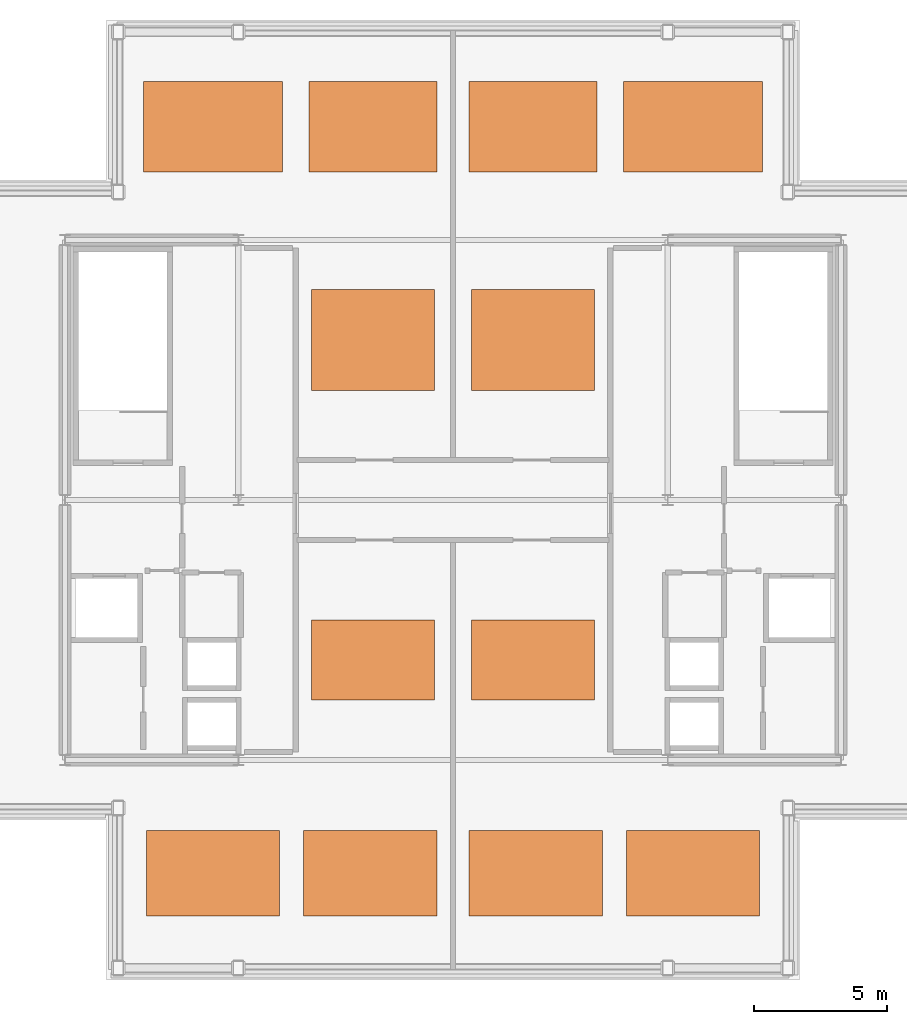
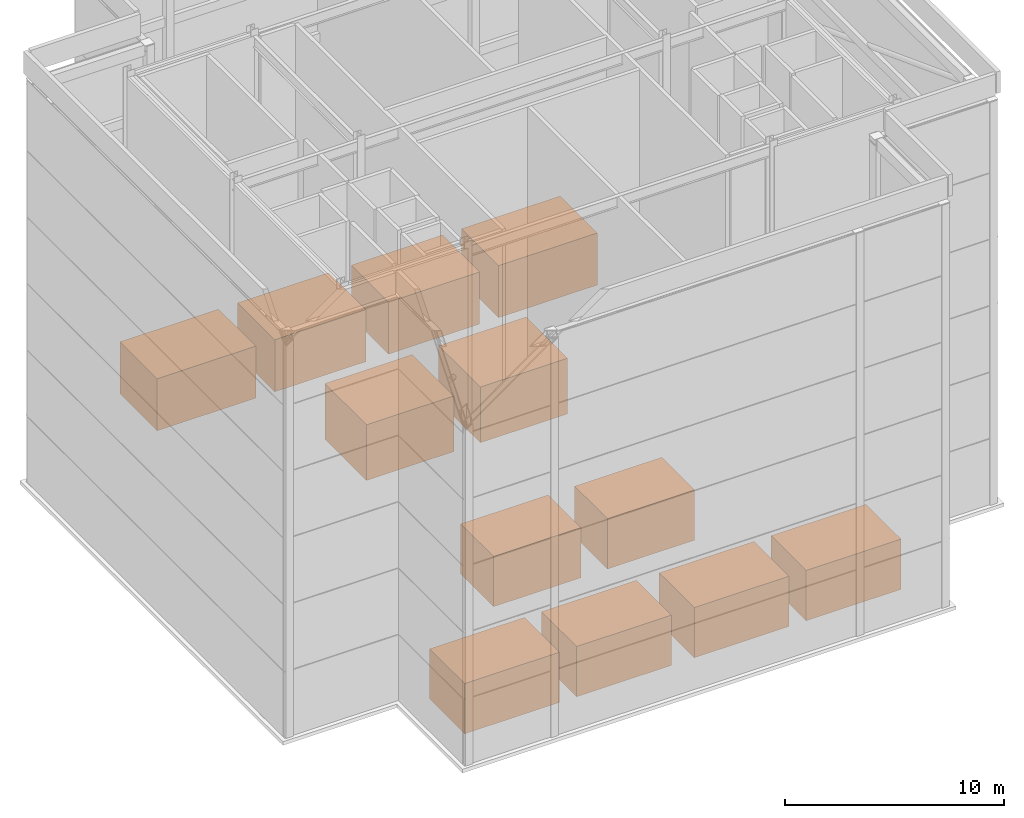
# One storey, part 8 of 8: 12 proxies.
"""IFC4 building model written with IfcOpenShell, lengths in metres."""

from ifc_helpers import new_model, si_unit, direction, frame, origin, origin_2d, place, context, subcontext, project, spatial, rectangle, extrude, material, type_object, element, save


model = new_model("IFC4")

# Units and contexts
model_context = context("Model", 3, precision=1e-05, world=origin(), true_north=direction((0.0, 1.0)))
body_context = subcontext(model_context, "Body", "Model", "MODEL_VIEW")
ifc_project = project(units=[si_unit("LENGTHUNIT", "METRE"), si_unit("AREAUNIT", "SQUARE_METRE"), si_unit("VOLUMEUNIT", "CUBIC_METRE"), si_unit("PLANEANGLEUNIT", "RADIAN"), si_unit("MASSUNIT", "GRAM", prefix="KILO")], contexts=[model_context])

# Site, building, storey
site_placement = place(None, origin())
site = spatial("IfcSite", under=ifc_project, at=site_placement, CompositionType="ELEMENT")
building_placement = place(site_placement, origin())
building = spatial("IfcBuilding", under=site, at=building_placement, Name="Brelmoor Portico Tower", CompositionType="ELEMENT")
storey_placement = place(building_placement, frame((0.0, 0.0, 289.199951171875)))
storey = spatial("IfcBuildingStorey", under=building, at=storey_placement, Name="L76", CompositionType="ELEMENT", Elevation=289.199951171875)

# Proxies
ifc_material_1 = material(Name="Insulated Galvanised Steel Air-Handling Unit", Category="steel")
building_element_proxy_type_1 = type_object("IfcBuildingElementProxyType", Name="CROWN AHU UNIT", PredefinedType="USERDEFINED", material=ifc_material_1)
proxy_1_placement = place(storey_placement, frame((-9.0, 14.0, 0.0), z_axis=(0.0, 0.0, 1.0), x_axis=(1.0, 0.0, 0.0)))
element("IfcBuildingElementProxy", 1, at=proxy_1_placement, inside=storey, type_object=building_element_proxy_type_1, Name="L76 Primary Air-Handling Unit AHU-01", ObjectType="AHU", PredefinedType="USERDEFINED", context=body_context, shape_type="SweptSolid", body=[
    extrude(rectangle(XDim=5.199951171875, YDim=3.39990234375, at=origin_2d()), origin(), (0.0, 0.0, 1.0), 2.89990234375),
])
for number, where, z_axis, x_axis, name in (
    (2, (-3.0, 14.0, 0.0), (0.0, 0.0, 1.0), (1.0, 0.0, 0.0), "L76 Primary Air-Handling Unit AHU-02"),
    (3, (3.0, 14.0, 0.0), (0.0, 0.0, 1.0), (1.0, 0.0, 0.0), "L76 Primary Air-Handling Unit AHU-03"),
):
    element("IfcBuildingElementProxy", number, at=place(storey_placement, frame(where, z_axis=z_axis, x_axis=x_axis)), inside=storey, type_object=building_element_proxy_type_1, Name=name, ObjectType="AHU", PredefinedType="USERDEFINED", context=body_context, shape_type="SweptSolid", body=[
        extrude(rectangle(XDim=4.800048828125, YDim=3.39990234375, at=origin_2d()), origin(), (0.0, 0.0, 1.0), 2.89990234375),
    ])
proxy_2_placement = place(storey_placement, frame((9.0, 14.0, 0.0), z_axis=(0.0, 0.0, 1.0), x_axis=(1.0, 0.0, 0.0)))
element("IfcBuildingElementProxy", 4, at=proxy_2_placement, inside=storey, type_object=building_element_proxy_type_1, Name="L76 Primary Air-Handling Unit AHU-04", ObjectType="AHU", PredefinedType="USERDEFINED", context=body_context, shape_type="SweptSolid", body=[
    extrude(rectangle(XDim=5.199951171875, YDim=3.39990234375, at=origin_2d()), origin(), (0.0, 0.0, 1.0), 2.89990234375),
])
ifc_material_2 = material(Name="Painted Steel Centrifugal Chiller", Category="steel")
building_element_proxy_type_2 = type_object("IfcBuildingElementProxyType", Name="CROWN CHILLER UNIT", PredefinedType="USERDEFINED", material=ifc_material_2)
for number, where, z_axis, x_axis, name in (
    (5, (-9.0, -14.0, 0.0), (0.0, 0.0, 1.0), (1.0, 0.0, 0.0), "L76 Centrifugal Chiller Unit CH-01"),
    (6, (-3.10009765625, -14.0, 0.0), (0.0, 0.0, 1.0), (1.0, 0.0, 0.0), "L76 Centrifugal Chiller Unit CH-02"),
    (7, (3.10009765625, -14.0, 0.0), (0.0, 0.0, 1.0), (1.0, 0.0, 0.0), "L76 Centrifugal Chiller Unit CH-03"),
    (8, (9.0, -14.0, 0.0), (0.0, 0.0, 1.0), (1.0, 0.0, 0.0), "L76 Centrifugal Chiller Unit CH-04"),
):
    element("IfcBuildingElementProxy", number, at=place(storey_placement, frame(where, z_axis=z_axis, x_axis=x_axis)), inside=storey, type_object=building_element_proxy_type_2, Name=name, ObjectType="CH", PredefinedType="USERDEFINED", context=body_context, shape_type="SweptSolid", body=[
        extrude(rectangle(XDim=5.0, YDim=3.199951171875, at=origin_2d()), origin(), (0.0, 0.0, 1.0), 2.800048828125),
    ])
for number, where, z_axis, x_axis, name in (
    (9, (-3.0, -6.0, 0.0), (0.0, 0.0, 1.0), (1.0, 0.0, 0.0), "L76 Heat-Recovery Chiller CH-05"),
    (10, (3.0, -6.0, 0.0), (0.0, 0.0, 1.0), (1.0, 0.0, 0.0), "L76 Heat-Recovery Chiller CH-06"),
):
    element("IfcBuildingElementProxy", number, at=place(storey_placement, frame(where, z_axis=z_axis, x_axis=x_axis)), inside=storey, type_object=building_element_proxy_type_2, Name=name, ObjectType="CH", PredefinedType="USERDEFINED", context=body_context, shape_type="SweptSolid", body=[
        extrude(rectangle(XDim=4.60009765625, YDim=3.0, at=origin_2d()), origin(), (0.0, 0.0, 1.0), 2.800048828125),
    ])
ifc_material_3 = material(Name="Stainless Steel 316 Sectional Water Tank", Category="steel")
building_element_proxy_type_3 = type_object("IfcBuildingElementProxyType", Name="CROWN WATER TANK", PredefinedType="USERDEFINED", material=ifc_material_3)
for number, where, z_axis, x_axis, name in (
    (11, (-3.0, 6.0, 0.0), (0.0, 0.0, 1.0), (1.0, 0.0, 0.0), "L76 Fire Reserve Water Tank TK-01"),
    (12, (3.0, 6.0, 0.0), (0.0, 0.0, 1.0), (1.0, 0.0, 0.0), "L76 Domestic Boosted Water Tank TK-02"),
):
    element("IfcBuildingElementProxy", number, at=place(storey_placement, frame(where, z_axis=z_axis, x_axis=x_axis)), inside=storey, type_object=building_element_proxy_type_3, Name=name, ObjectType="TK", PredefinedType="USERDEFINED", context=body_context, shape_type="SweptSolid", body=[
        extrude(rectangle(XDim=4.60009765625, YDim=3.800048828125, at=origin_2d()), origin(), (0.0, 0.0, 1.0), 3.10009765625),
    ])

save(model, "model.ifc")
